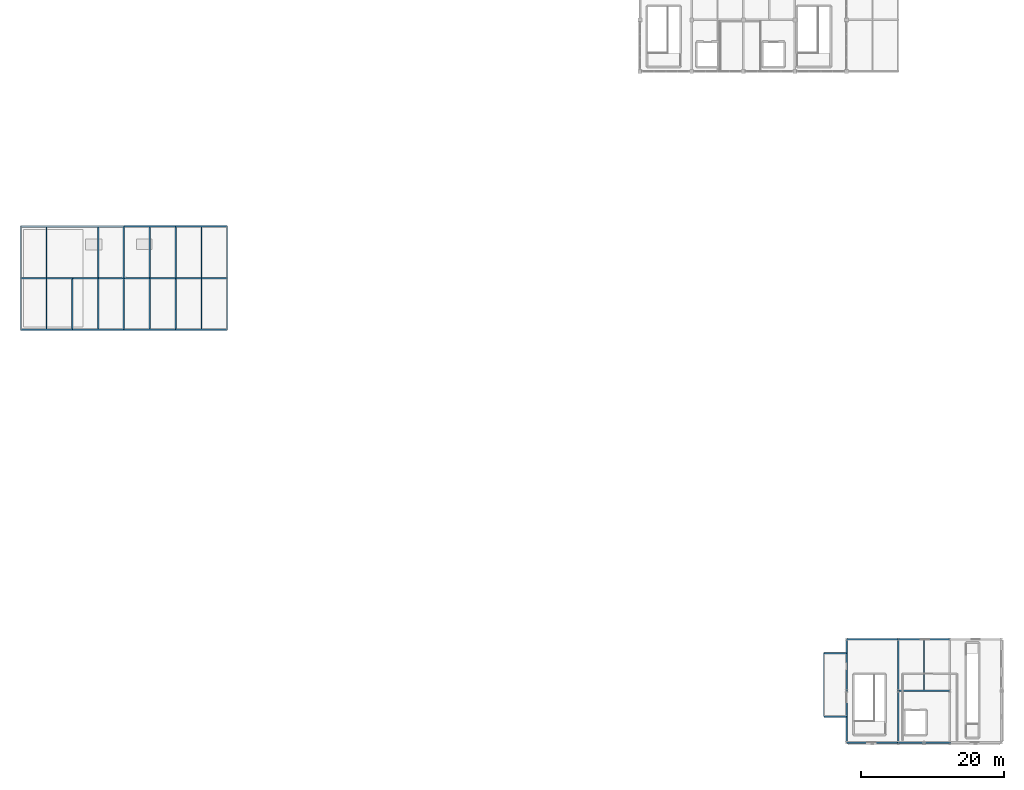
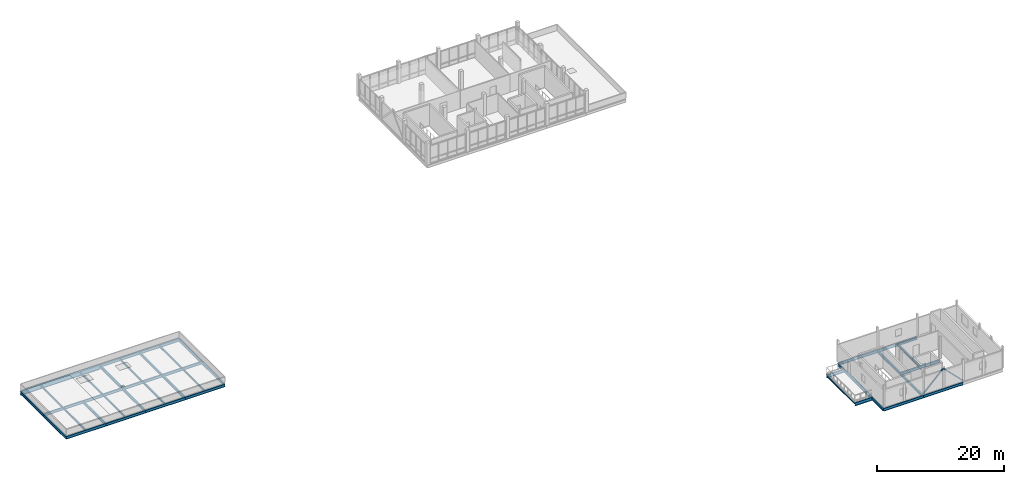
# One storey, part 4 of 28: 41 beams, 2 members.
"""IFC4 building model written with IfcOpenShell, lengths in metres."""

import ifcopenshell
import ifcopenshell.guid

model = None  # the IFC model being written
_history = None  # IfcOwnerHistory: only IFC2X3 demands one
_inside = {}  # id of a spatial element -> (the spatial element, [elements in it])
_under = {}  # id of a project, library or spatial element -> (it, [spatial elements below it])
_declared = {}  # id of a project -> (the project, [libraries it declares])
_typed = {}  # id of a type object -> (the type object, [elements of that type])
_made_of = {}  # id of a material, layer set ... -> (it, [elements and type objects made of it])


def new_model(schema):
    """Start an empty IFC model of exactly this schema.

    Asked for "IFC4X3", IfcOpenShell would pick the latest addendum, in which some entities
    have other attributes; the version numbers below select the first issue.
    IFC2X3 requires an IfcOwnerHistory on every rooted entity: one is made here for all.
    """
    global model, _history
    if schema == "IFC4X3":
        model = ifcopenshell.file(schema_version=(4, 3, 0, 0))
    else:
        model = ifcopenshell.file(schema=schema)
    _inside.clear()
    _under.clear()
    _declared.clear()
    _typed.clear()
    _made_of.clear()
    _history = None
    if model.schema == "IFC2X3":
        org = make("IfcOrganization", Name="unknown")
        user = make(
            "IfcPersonAndOrganization",
            ThePerson=make("IfcPerson", FamilyName="unknown"),
            TheOrganization=org,
        )
        app = make(
            "IfcApplication",
            ApplicationDeveloper=org,
            Version="unknown",
            ApplicationFullName="unknown",
            ApplicationIdentifier="unknown",
        )
        _history = make(
            "IfcOwnerHistory",
            OwningUser=user,
            OwningApplication=app,
            ChangeAction="ADDED",
            CreationDate=0,
        )
    return model


def make(cls, **values):
    """One entity of the class cls with the attributes given. An attribute that is None is left unset."""
    return model.create_entity(
        cls, **{name: value for name, value in values.items() if value is not None}
    )


def rooted(cls, **values):
    """An entity with a GlobalId (a new one), such as an element, a storey or a relation."""
    return make(cls, GlobalId=ifcopenshell.guid.new(), OwnerHistory=_history, **values)


def si_unit(unit_type, name, prefix=None):
    """IfcSIUnit, for example si_unit("LENGTHUNIT", "METRE", prefix="MILLI")."""
    return make("IfcSIUnit", UnitType=unit_type, Prefix=prefix, Name=name)


def assignment(units):
    """IfcUnitAssignment: the units of a project."""
    return None if units is None else make("IfcUnitAssignment", Units=units)


def point(xyz):
    """IfcCartesianPoint."""
    return None if xyz is None else make("IfcCartesianPoint", Coordinates=xyz)


def direction(xyz):
    """IfcDirection."""
    return None if xyz is None else make("IfcDirection", DirectionRatios=xyz)


def frame(location, z_axis=None, x_axis=None):
    """IfcAxis2Placement3D, a coordinate frame: its origin and axes. An axis left out is left unset."""
    return make(
        "IfcAxis2Placement3D",
        Location=point(location),
        Axis=direction(z_axis),
        RefDirection=direction(x_axis),
    )


def frame_2d(location, x_axis=None):
    """IfcAxis2Placement2D, a coordinate frame in the plane: its origin and x axis."""
    return make(
        "IfcAxis2Placement2D", Location=point(location), RefDirection=direction(x_axis)
    )


def origin():
    """The frame at (0, 0, 0) with its axes left unset."""
    return frame((0.0, 0.0, 0.0))


def origin_2d():
    """The frame at (0, 0) in the plane with its x axis left unset."""
    return frame_2d((0.0, 0.0))


def place(relative_to, where):
    """IfcLocalPlacement: puts the frame where relative to a parent placement (None: the world)."""
    return make(
        "IfcLocalPlacement", PlacementRelTo=relative_to, RelativePlacement=where
    )


def context(
    kind, dimensions, precision=None, world=None, true_north=None, identifier=None
):
    """IfcGeometricRepresentationContext, for example the 3D "Model" context."""
    return make(
        "IfcGeometricRepresentationContext",
        ContextIdentifier=identifier,
        ContextType=kind,
        CoordinateSpaceDimension=dimensions,
        Precision=precision,
        WorldCoordinateSystem=world,
        TrueNorth=true_north,
    )


def subcontext(parent, identifier, kind, view, scale=None):
    """IfcGeometricRepresentationSubContext, for example "Body" below "Model"."""
    return make(
        "IfcGeometricRepresentationSubContext",
        ContextIdentifier=identifier,
        ContextType=kind,
        ParentContext=parent,
        TargetScale=scale,
        TargetView=view,
    )


def project(units=None, contexts=None):
    """IfcProject with its units and contexts."""
    return rooted(
        "IfcProject",
        Name="project",
        RepresentationContexts=contexts,
        UnitsInContext=assignment(units),
    )


def spatial(cls, under=None, at=None, **own):
    """A site, building, storey or space (cls), placed at a placement, below another one or the project."""
    s = rooted(cls, ObjectPlacement=at, **own)
    if under is not None:
        _under.setdefault(under.id(), (under, []))[1].append(s)
    return s


def profile(cls, at=None, kind="AREA", **sizes):
    """A parametric profile (cls). Its sizes go by their IFC names, for example OverallWidth=200.0."""
    return make(cls, ProfileType=kind, Position=at, **sizes)


def hollow_rectangle(**sizes):
    """IfcRectangleHollowProfileDef."""
    return profile("IfcRectangleHollowProfileDef", **sizes)


def i_section(**sizes):
    """IfcIShapeProfileDef."""
    return profile("IfcIShapeProfileDef", **sizes)


def extrude(swept, where, along, depth):
    """IfcExtrudedAreaSolid: the profile swept, set in the frame where, extruded along a direction by depth."""
    return make(
        "IfcExtrudedAreaSolid",
        SweptArea=swept,
        Position=where,
        ExtrudedDirection=direction(along),
        Depth=depth,
    )


def shape(context_of_items, identifier, shape_type, items):
    """IfcShapeRepresentation: the items that make up one representation, for example the "Body"."""
    return make(
        "IfcShapeRepresentation",
        ContextOfItems=context_of_items,
        RepresentationIdentifier=identifier,
        RepresentationType=shape_type,
        Items=items,
    )


def material(Name=None, Category=None):
    """IfcMaterial."""
    return make("IfcMaterial", Name=Name, Category=Category)


def material_profile(
    of_material, cross_section, Name=None, Category=None, Priority=None
):
    """IfcMaterialProfile: a cross section and its material."""
    return make(
        "IfcMaterialProfile",
        Name=Name,
        Material=of_material,
        Profile=cross_section,
        Priority=Priority,
        Category=Category,
    )


def profile_set(profiles, Name=None, composite=None):
    """IfcMaterialProfileSet."""
    return make(
        "IfcMaterialProfileSet",
        Name=Name,
        MaterialProfiles=profiles,
        CompositeProfile=composite,
    )


def made_of(thing, what):
    """Note that an element or type object is made of a material, layer set ...; save() writes the relation."""
    if what is not None:
        _made_of.setdefault(what.id(), (what, []))[1].append(thing)
    return thing


def type_object(cls, material=None, **own):
    """A type object (cls), such as IfcWallType, which elements share."""
    return made_of(rooted(cls, **own), material)


def element(
    cls,
    number,
    at=None,
    inside=None,
    cuts=None,
    type_object=None,
    material=None,
    context=None,
    identifier="Body",
    shape_type=None,
    held_by="IfcProductDefinitionShape",
    body=None,
    shapes=None,
    **own,
):
    """One element of the class cls, such as IfcWall. Its Tag is "e" and its number.

    at: its placement. inside: the storey or other place that contains it. cuts: it is an
    opening in that element (IfcRelVoidsElement). A single representation is given by context,
    identifier, shape_type and body (its items); several are given by shapes. held_by: the class
    of the entity that holds the representations. save() writes the other relations.
    """
    e = rooted(cls, Tag="e%d" % number, ObjectPlacement=at, **own)
    if body is not None:
        shapes = [shape(context, identifier, shape_type, body)]
    if shapes is not None:
        e.Representation = make(held_by, Representations=shapes)
    if inside is not None:
        _inside.setdefault(inside.id(), (inside, []))[1].append(e)
    if cuts is not None:
        rooted(
            "IfcRelVoidsElement", RelatingBuildingElement=cuts, RelatedOpeningElement=e
        )
    if type_object is not None:
        _typed.setdefault(type_object.id(), (type_object, []))[1].append(e)
    return made_of(e, material)


def aggregate(whole, parts):
    """IfcRelAggregates: a whole, such as a stair, and the parts it consists of."""
    return rooted("IfcRelAggregates", RelatingObject=whole, RelatedObjects=parts)


def save(model, path):
    """Write the relations noted so far, then the file.

    IfcRelAggregates (storeys below a building ...), IfcRelContainedInSpatialStructure (elements
    in a storey), IfcRelDefinesByType, IfcRelAssociatesMaterial and IfcRelDeclares: one each for
    every whole, place, type object, material and project.
    """
    for whole, parts in _under.values():
        aggregate(whole, parts)
    for where, things in _inside.values():
        rooted(
            "IfcRelContainedInSpatialStructure",
            RelatedElements=things,
            RelatingStructure=where,
        )
    for kind, things in _typed.values():
        rooted("IfcRelDefinesByType", RelatedObjects=things, RelatingType=kind)
    for what, things in _made_of.values():
        rooted("IfcRelAssociatesMaterial", RelatedObjects=things, RelatingMaterial=what)
    for by, libraries in _declared.values():
        rooted("IfcRelDeclares", RelatingContext=by, RelatedDefinitions=libraries)
    model.write(path)


model = new_model("IFC4")

# Units and contexts
model_context = context("Model", 3, precision=1e-05, world=origin(), true_north=direction((0.0, 1.0)))
body_context = subcontext(model_context, "Body", "Model", "MODEL_VIEW")
ifc_project = project(units=[si_unit("LENGTHUNIT", "METRE"), si_unit("AREAUNIT", "SQUARE_METRE"), si_unit("VOLUMEUNIT", "CUBIC_METRE"), si_unit("PLANEANGLEUNIT", "RADIAN"), si_unit("MASSUNIT", "GRAM", prefix="KILO")], contexts=[model_context])

# Site, building, storey
site_placement = place(None, origin())
site = spatial("IfcSite", under=ifc_project, at=site_placement, CompositionType="ELEMENT")
building_placement = place(site_placement, origin())
building = spatial("IfcBuilding", under=site, at=building_placement, Name="Yarey Park Central Fire Station", CompositionType="ELEMENT")
storey_placement = place(building_placement, frame((0.0, 0.0, 22.199951171875)))
storey = spatial("IfcBuildingStorey", under=building, at=storey_placement, Name="L06", CompositionType="ELEMENT", Elevation=22.199951171875)

# Beams
ifc_material_1 = material(Name="Steel ASTM A992 Gr. 50", Category="steel")
ifc_material_profile_1 = material_profile(ifc_material_1, i_section(OverallWidth=0.208984375, OverallDepth=0.532958984375, WebThickness=0.01025390625, FlangeThickness=0.015625, at=origin_2d()), Name="W530x92")
ifc_profile_set_1 = profile_set([ifc_material_profile_1], Name="Steel ASTM A992 Gr. 50")
beam_type_1 = type_object("IfcBeamType", Name="STR_BM_W530", PredefinedType="BEAM", material=ifc_profile_set_1)
for number, where, z_axis, x_axis, name in (
    (1, (144.0, 0.0, -0.491455078125), (1.0, 0.0, 0.0), (0.0, 1.0, 0.0), "BMX L06 Y0 X1440"),
    (2, (151.199951171875, 0.0, -0.491455078125), (1.0, 0.0, 0.0), (0.0, 1.0, 0.0), "BMX L06 Y0 X1512"),
    (3, (151.199951171875, 7.199951171875, -0.491455078125), (1.0, 0.0, 0.0), (0.0, 1.0, 0.0), "BMX L06 Y72 X1512"),
    (4, (144.0, 14.39990234375, -0.491455078125), (1.0, 0.0, 0.0), (0.0, 1.0, 0.0), "BMX L06 Y144 X1440"),
    (5, (151.199951171875, 14.39990234375, -0.491455078125), (1.0, 0.0, 0.0), (0.0, 1.0, 0.0), "BMX L06 Y144 X1512"),
    (6, (28.800048828125, 57.60009765625, -0.4765625), (1.0, 0.0, 0.0), (0.0, 1.0, 0.0), "BMX L06 Y576 X288"),
    (7, (36.0, 57.60009765625, -0.4765625), (1.0, 0.0, 0.0), (0.0, 1.0, 0.0), "BMX L06 Y576 X360"),
    (8, (43.199951171875, 57.60009765625, -0.4765625), (1.0, 0.0, 0.0), (0.0, 1.0, 0.0), "BMX L06 Y576 X432"),
):
    element("IfcBeam", number, at=place(storey_placement, frame(where, z_axis=z_axis, x_axis=x_axis)), inside=storey, type_object=beam_type_1, Name=name, PredefinedType="BEAM", context=body_context, shape_type="SweptSolid", body=[
        extrude(i_section(OverallWidth=0.208984375, OverallDepth=0.532958984375, WebThickness=0.01025390625, FlangeThickness=0.015625, at=origin_2d()), origin(), (0.0, 0.0, 1.0), 7.199951171875),
    ])
beam_1_placement = place(storey_placement, frame((50.39990234375, 57.60009765625, -0.4765625), z_axis=(1.0, 0.0, 0.0), x_axis=(0.0, 1.0, 0.0)))
element("IfcBeam", 9, at=beam_1_placement, inside=storey, type_object=beam_type_1, Name="BMX L06 Y576 X504", PredefinedType="BEAM", context=body_context, shape_type="SweptSolid", body=[
    extrude(i_section(OverallWidth=0.208984375, OverallDepth=0.532958984375, WebThickness=0.01025390625, FlangeThickness=0.015625, at=origin_2d()), origin(), (0.0, 0.0, 1.0), 7.2001953125),
])
for number, where, z_axis, x_axis, name in (
    (10, (28.800048828125, 64.800048828125, -0.4765625), (1.0, 0.0, 0.0), (0.0, 1.0, 0.0), "BMX L06 Y648 X288"),
    (11, (36.0, 64.800048828125, -0.4765625), (1.0, 0.0, 0.0), (0.0, 1.0, 0.0), "BMX L06 Y648 X360"),
    (12, (43.199951171875, 64.800048828125, -0.4765625), (1.0, 0.0, 0.0), (0.0, 1.0, 0.0), "BMX L06 Y648 X432"),
):
    element("IfcBeam", number, at=place(storey_placement, frame(where, z_axis=z_axis, x_axis=x_axis)), inside=storey, type_object=beam_type_1, Name=name, PredefinedType="BEAM", context=body_context, shape_type="SweptSolid", body=[
        extrude(i_section(OverallWidth=0.208984375, OverallDepth=0.532958984375, WebThickness=0.01025390625, FlangeThickness=0.015625, at=origin_2d()), origin(), (0.0, 0.0, 1.0), 7.199951171875),
    ])
beam_2_placement = place(storey_placement, frame((50.39990234375, 64.800048828125, -0.4765625), z_axis=(1.0, 0.0, 0.0), x_axis=(0.0, 1.0, 0.0)))
element("IfcBeam", 13, at=beam_2_placement, inside=storey, type_object=beam_type_1, Name="BMX L06 Y648 X504", PredefinedType="BEAM", context=body_context, shape_type="SweptSolid", body=[
    extrude(i_section(OverallWidth=0.208984375, OverallDepth=0.532958984375, WebThickness=0.01025390625, FlangeThickness=0.015625, at=origin_2d()), origin(), (0.0, 0.0, 1.0), 7.2001953125),
])
beam_3_placement = place(storey_placement, frame((43.199951171875, 72.0, -0.4765625), z_axis=(1.0, 0.0, 0.0), x_axis=(0.0, 1.0, 0.0)))
element("IfcBeam", 14, at=beam_3_placement, inside=storey, type_object=beam_type_1, Name="BMX L06 Y720 X432", PredefinedType="BEAM", context=body_context, shape_type="SweptSolid", body=[
    extrude(i_section(OverallWidth=0.208984375, OverallDepth=0.532958984375, WebThickness=0.01025390625, FlangeThickness=0.015625, at=origin_2d()), origin(), (0.0, 0.0, 1.0), 7.199951171875),
])
beam_4_placement = place(storey_placement, frame((50.39990234375, 72.0, -0.4765625), z_axis=(1.0, 0.0, 0.0), x_axis=(0.0, 1.0, 0.0)))
element("IfcBeam", 15, at=beam_4_placement, inside=storey, type_object=beam_type_1, Name="BMX L06 Y720 X504", PredefinedType="BEAM", context=body_context, shape_type="SweptSolid", body=[
    extrude(i_section(OverallWidth=0.208984375, OverallDepth=0.532958984375, WebThickness=0.01025390625, FlangeThickness=0.015625, at=origin_2d()), origin(), (0.0, 0.0, 1.0), 7.2001953125),
])
for number, where, z_axis, x_axis, name in (
    (16, (28.800048828125, 57.60009765625, -0.4765625), (0.0, 1.0, 0.0), (-1.0, 0.0, 0.0), "BMY L06 X288 Y576"),
    (17, (28.800048828125, 64.800048828125, -0.4765625), (0.0, 1.0, 0.0), (-1.0, 0.0, 0.0), "BMY L06 X288 Y648"),
    (18, (36.0, 57.60009765625, -0.4765625), (0.0, 1.0, 0.0), (-1.0, 0.0, 0.0), "BMY L06 X360 Y576"),
    (19, (43.199951171875, 57.60009765625, -0.4765625), (0.0, 1.0, 0.0), (-1.0, 0.0, 0.0), "BMY L06 X432 Y576"),
    (20, (43.199951171875, 64.800048828125, -0.4765625), (0.0, 1.0, 0.0), (-1.0, 0.0, 0.0), "BMY L06 X432 Y648"),
    (21, (50.39990234375, 57.60009765625, -0.4765625), (0.0, 1.0, 0.0), (-1.0, 0.0, 0.0), "BMY L06 X504 Y576"),
    (22, (50.39990234375, 64.800048828125, -0.4765625), (0.0, 1.0, 0.0), (-1.0, 0.0, 0.0), "BMY L06 X504 Y648"),
    (23, (57.60009765625, 57.60009765625, -0.4765625), (0.0, 1.0, 0.0), (-1.0, 0.0, 0.0), "BMY L06 X576 Y576"),
    (24, (57.60009765625, 64.800048828125, -0.4765625), (0.0, 1.0, 0.0), (-1.0, 0.0, 0.0), "BMY L06 X576 Y648"),
    (25, (144.0, 0.0, -0.50146484375), (0.0, 1.0, 0.0), (-1.0, 0.0, 0.0), "BMY L06 X1440 Y0"),
    (26, (144.0, 7.199951171875, -0.50146484375), (0.0, 1.0, 0.0), (-1.0, 0.0, 0.0), "BMY L06 X1440 Y72"),
    (27, (151.199951171875, 0.0, -0.491455078125), (0.0, 1.0, 0.0), (-1.0, 0.0, 0.0), "BMY L06 X1512 Y0"),
    (28, (151.199951171875, 7.199951171875, -0.491455078125), (0.0, 1.0, 0.0), (-1.0, 0.0, 0.0), "BMY L06 X1512 Y72"),
):
    element("IfcBeam", number, at=place(storey_placement, frame(where, z_axis=z_axis, x_axis=x_axis)), inside=storey, type_object=beam_type_1, Name=name, PredefinedType="BEAM", context=body_context, shape_type="SweptSolid", body=[
        extrude(i_section(OverallWidth=0.208984375, OverallDepth=0.532958984375, WebThickness=0.01025390625, FlangeThickness=0.015625, at=origin_2d()), origin(), (0.0, 0.0, 1.0), 7.199951171875),
    ])
ifc_material_profile_2 = material_profile(ifc_material_1, i_section(OverallWidth=0.22900390625, OverallDepth=0.612060546875, WebThickness=0.011962890625, FlangeThickness=0.01953125, at=origin_2d()), Name="W610x125")
ifc_profile_set_2 = profile_set([ifc_material_profile_2], Name="Steel ASTM A992 Gr. 50")
beam_type_2 = type_object("IfcBeamType", Name="STR_BM_W610E", PredefinedType="BEAM", material=ifc_profile_set_2)
for number, where, z_axis, x_axis, name in (
    (29, (140.85009765625, 3.6201171875, -0.541015625), (1.0, 0.0, 0.0), (0.0, 1.0, 0.0), "BALC OUT L06 Y36"),
    (30, (140.85009765625, 12.47998046875, -0.541015625), (1.0, 0.0, 0.0), (0.0, 1.0, 0.0), "BALC OUT L06 Y124"),
):
    element("IfcBeam", number, at=place(storey_placement, frame(where, z_axis=z_axis, x_axis=x_axis)), inside=storey, type_object=beam_type_2, Name=name, PredefinedType="BEAM", context=body_context, shape_type="SweptSolid", body=[
        extrude(i_section(OverallWidth=0.22900390625, OverallDepth=0.612060546875, WebThickness=0.011962890625, FlangeThickness=0.01953125, at=origin_2d()), origin(), (0.0, 0.0, 1.0), 3.14990234375),
    ])
ifc_material_profile_3 = material_profile(ifc_material_1, i_section(OverallWidth=0.2939453125, OverallDepth=0.85107421875, WebThickness=0.01611328125, FlangeThickness=0.02685546875, at=origin_2d()), Name="W840x226")
ifc_profile_set_3 = profile_set([ifc_material_profile_3], Name="Steel ASTM A992 Gr. 50")
beam_type_3 = type_object("IfcBeamType", Name="STR_BM_W840", PredefinedType="BEAM", material=ifc_profile_set_3)
beam_5_placement = place(storey_placement, frame((28.800048828125, 72.0, -0.635498046875), z_axis=(1.0, 0.0, 0.0), x_axis=(0.0, 1.0, 0.0)))
element("IfcBeam", 31, at=beam_5_placement, inside=storey, type_object=beam_type_3, Name="BMX L06 Y720 X288", PredefinedType="BEAM", context=body_context, shape_type="SweptSolid", body=[
    extrude(i_section(OverallWidth=0.2939453125, OverallDepth=0.85107421875, WebThickness=0.01611328125, FlangeThickness=0.02685546875, at=origin_2d()), origin(), (0.0, 0.0, 1.0), 14.39990234375),
])

# Members
ifc_material_2 = material(Name="Steel ASTM A500 Gr. C", Category="steel")
ifc_material_profile_4 = material_profile(ifc_material_2, hollow_rectangle(XDim=0.199951171875, YDim=0.199951171875, WallThickness=0.010009765625, at=origin_2d()), Name="HSS 200x200x10")
ifc_profile_set_4 = profile_set([ifc_material_profile_4], Name="Steel ASTM A500 Gr. C")
member_type = type_object("IfcMemberType", Name="STR_CBF_HSS200", PredefinedType="BRACE", material=ifc_profile_set_4)
member_1_placement = place(storey_placement, frame((151.199951171875, 0.0, 0.050048828125), z_axis=(0.707106781187, 0.0, 0.707106781187), x_axis=(0.0, 1.0, 0.0)))
element("IfcMember", 32, at=member_1_placement, inside=storey, type_object=member_type, Name="CBF_DT_S1_L06", PredefinedType="BRACE", context=body_context, shape_type="SweptSolid", body=[
    extrude(hollow_rectangle(XDim=0.199951171875, YDim=0.199951171875, WallThickness=0.010009765625, at=origin_2d()), origin(), (0.0, 0.0, 1.0), 5.09130859375),
])
member_2_placement = place(storey_placement, frame((158.39990234375, 0.0, 0.050048828125), z_axis=(-0.707082803744, 0.0, 0.707130757816), x_axis=(0.0, -1.0, 0.0)))
element("IfcMember", 33, at=member_2_placement, inside=storey, type_object=member_type, Name="CBF_DT_S2_L06", PredefinedType="BRACE", context=body_context, shape_type="SweptSolid", body=[
    extrude(hollow_rectangle(XDim=0.199951171875, YDim=0.199951171875, WallThickness=0.010009765625, at=origin_2d()), origin(), (0.0, 0.0, 1.0), 5.091064453125),
])

# Beams
ifc_material_profile_5 = material_profile(ifc_material_1, i_section(OverallWidth=0.172119140625, OverallDepth=0.35791015625, WebThickness=0.0078125, FlangeThickness=0.01318359375, at=origin_2d()), Name="W360x57")
ifc_profile_set_5 = profile_set([ifc_material_profile_5], Name="Steel ASTM A992 Gr. 50")
beam_type_4 = type_object("IfcBeamType", Name="STR_JST_W360", PredefinedType="JOIST", material=ifc_profile_set_5)
for number, where, z_axis, x_axis, name in (
    (34, (32.39990234375, 57.695068359375, -0.388916015625), (0.0, 1.0, 0.0), (-1.0, 0.0, 0.0), "JST L06 X324 Y576"),
    (35, (32.39990234375, 64.89501953125, -0.388916015625), (0.0, 1.0, 0.0), (-1.0, 0.0, 0.0), "JST L06 X324 Y648"),
    (36, (39.60009765625, 57.695068359375, -0.388916015625), (0.0, 1.0, 0.0), (-1.0, 0.0, 0.0), "JST L06 X396 Y576"),
    (37, (39.60009765625, 64.89501953125, -0.388916015625), (0.0, 1.0, 0.0), (-1.0, 0.0, 0.0), "JST L06 X396 Y648"),
    (38, (46.800048828125, 57.695068359375, -0.388916015625), (0.0, 1.0, 0.0), (-1.0, 0.0, 0.0), "JST L06 X468 Y576"),
    (39, (46.800048828125, 64.89501953125, -0.388916015625), (0.0, 1.0, 0.0), (-1.0, 0.0, 0.0), "JST L06 X468 Y648"),
    (40, (54.0, 57.695068359375, -0.388916015625), (0.0, 1.0, 0.0), (-1.0, 0.0, 0.0), "JST L06 X540 Y576"),
    (41, (54.0, 64.89501953125, -0.388916015625), (0.0, 1.0, 0.0), (-1.0, 0.0, 0.0), "JST L06 X540 Y648"),
    (42, (154.800048828125, 7.294921875, -0.404052734375), (0.0, 1.0, 0.0), (-1.0, 0.0, 0.0), "JST L06 X1548 Y72"),
):
    element("IfcBeam", number, at=place(storey_placement, frame(where, z_axis=z_axis, x_axis=x_axis)), inside=storey, type_object=beam_type_4, Name=name, PredefinedType="JOIST", context=body_context, shape_type="SweptSolid", body=[
        extrude(i_section(OverallWidth=0.172119140625, OverallDepth=0.35791015625, WebThickness=0.0078125, FlangeThickness=0.01318359375, at=origin_2d()), origin(), (0.0, 0.0, 1.0), 7.010009765625),
    ])
ifc_material_profile_6 = material_profile(ifc_material_1, i_section(OverallWidth=0.1650390625, OverallDepth=0.31005859375, WebThickness=0.005859375, FlangeThickness=0.009765625, at=origin_2d()), Name="W310x39")
ifc_profile_set_6 = profile_set([ifc_material_profile_6], Name="Steel ASTM A992 Gr. 50")
beam_type_5 = type_object("IfcBeamType", Name="STR_SPN_W310", PredefinedType="SPANDREL", material=ifc_profile_set_6)
beam_6_placement = place(storey_placement, frame((140.85009765625, 3.6201171875, -0.389892578125), z_axis=(0.0, 1.0, 0.0), x_axis=(-1.0, 0.0, 0.0)))
element("IfcBeam", 43, at=beam_6_placement, inside=storey, type_object=beam_type_5, Name="BALC EDG L06", PredefinedType="SPANDREL", context=body_context, shape_type="SweptSolid", body=[
    extrude(i_section(OverallWidth=0.1650390625, OverallDepth=0.31005859375, WebThickness=0.005859375, FlangeThickness=0.009765625, at=origin_2d()), origin(), (0.0, 0.0, 1.0), 8.85986328125),
])

save(model, "model.ifc")
